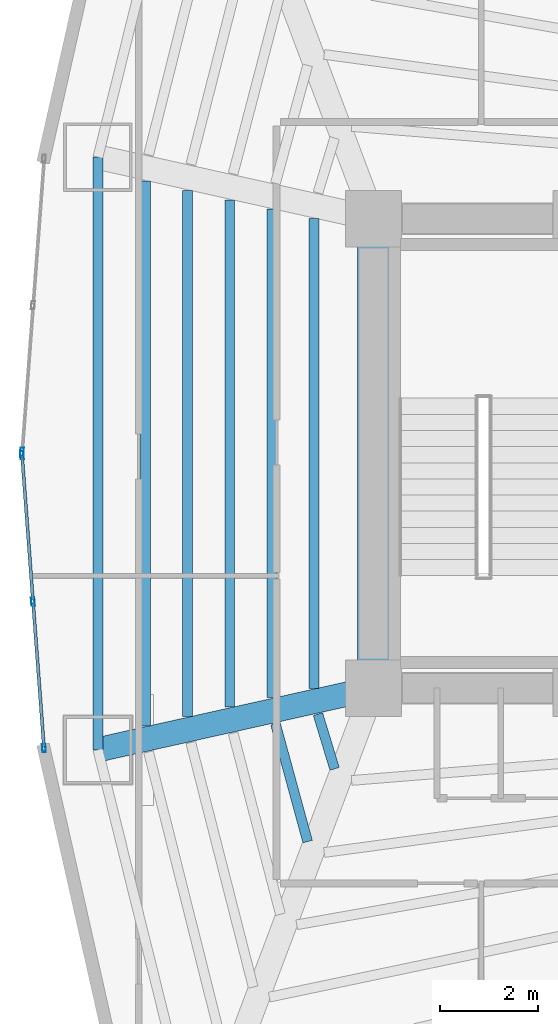
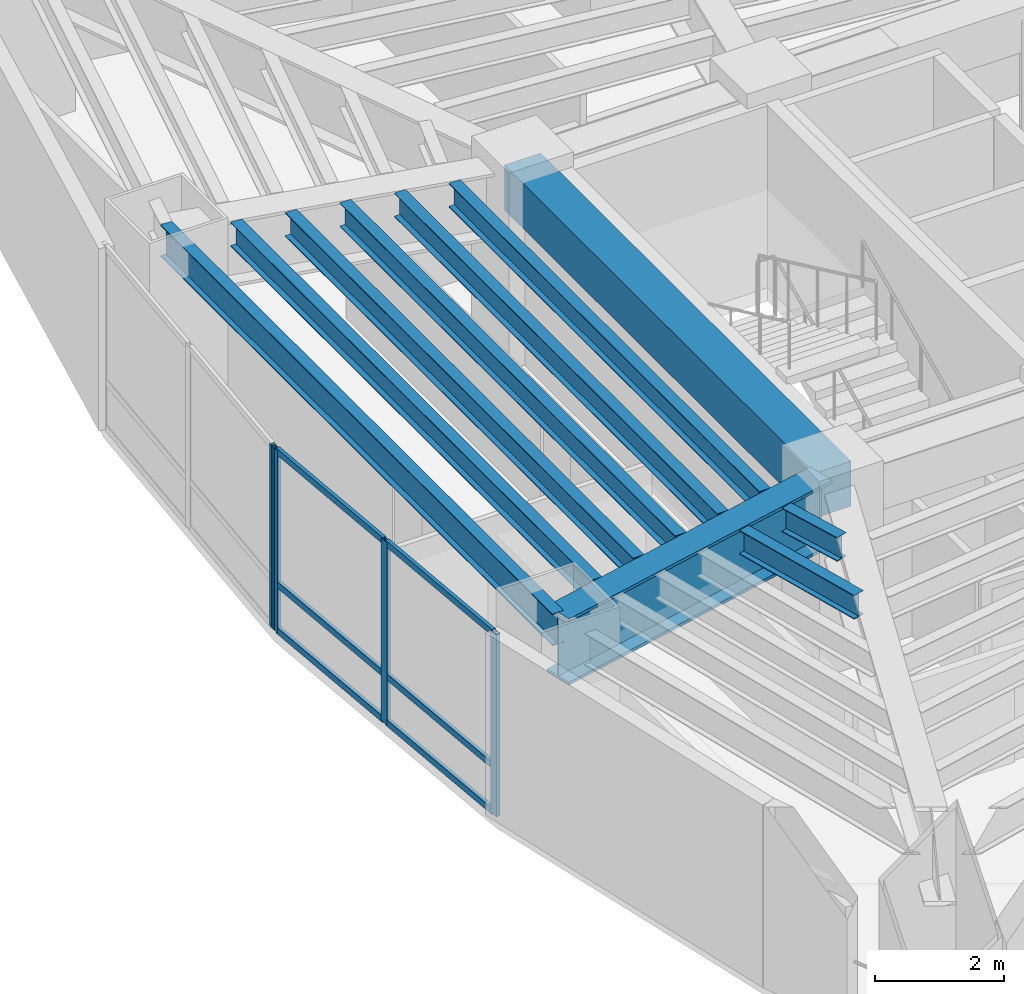
# One storey, part 3 of 18: 10 beams, 10 members, 2 elements without a shape of their own.
"""IFC4 building model written with IfcOpenShell, lengths in metres."""

import ifcopenshell
import ifcopenshell.guid

model = None  # the IFC model being written
_history = None  # IfcOwnerHistory: only IFC2X3 demands one
_inside = {}  # id of a spatial element -> (the spatial element, [elements in it])
_under = {}  # id of a project, library or spatial element -> (it, [spatial elements below it])
_declared = {}  # id of a project -> (the project, [libraries it declares])
_typed = {}  # id of a type object -> (the type object, [elements of that type])
_made_of = {}  # id of a material, layer set ... -> (it, [elements and type objects made of it])


def new_model(schema):
    """Start an empty IFC model of exactly this schema.

    Asked for "IFC4X3", IfcOpenShell would pick the latest addendum, in which some entities
    have other attributes; the version numbers below select the first issue.
    IFC2X3 requires an IfcOwnerHistory on every rooted entity: one is made here for all.
    """
    global model, _history
    if schema == "IFC4X3":
        model = ifcopenshell.file(schema_version=(4, 3, 0, 0))
    else:
        model = ifcopenshell.file(schema=schema)
    _inside.clear()
    _under.clear()
    _declared.clear()
    _typed.clear()
    _made_of.clear()
    _history = None
    if model.schema == "IFC2X3":
        org = make("IfcOrganization", Name="unknown")
        user = make(
            "IfcPersonAndOrganization",
            ThePerson=make("IfcPerson", FamilyName="unknown"),
            TheOrganization=org,
        )
        app = make(
            "IfcApplication",
            ApplicationDeveloper=org,
            Version="unknown",
            ApplicationFullName="unknown",
            ApplicationIdentifier="unknown",
        )
        _history = make(
            "IfcOwnerHistory",
            OwningUser=user,
            OwningApplication=app,
            ChangeAction="ADDED",
            CreationDate=0,
        )
    return model


def make(cls, **values):
    """One entity of the class cls with the attributes given. An attribute that is None is left unset."""
    return model.create_entity(
        cls, **{name: value for name, value in values.items() if value is not None}
    )


def rooted(cls, **values):
    """An entity with a GlobalId (a new one), such as an element, a storey or a relation."""
    return make(cls, GlobalId=ifcopenshell.guid.new(), OwnerHistory=_history, **values)


def si_unit(unit_type, name, prefix=None):
    """IfcSIUnit, for example si_unit("LENGTHUNIT", "METRE", prefix="MILLI")."""
    return make("IfcSIUnit", UnitType=unit_type, Prefix=prefix, Name=name)


def assignment(units):
    """IfcUnitAssignment: the units of a project."""
    return None if units is None else make("IfcUnitAssignment", Units=units)


def point(xyz):
    """IfcCartesianPoint."""
    return None if xyz is None else make("IfcCartesianPoint", Coordinates=xyz)


def direction(xyz):
    """IfcDirection."""
    return None if xyz is None else make("IfcDirection", DirectionRatios=xyz)


def frame(location, z_axis=None, x_axis=None):
    """IfcAxis2Placement3D, a coordinate frame: its origin and axes. An axis left out is left unset."""
    return make(
        "IfcAxis2Placement3D",
        Location=point(location),
        Axis=direction(z_axis),
        RefDirection=direction(x_axis),
    )


def frame_2d(location, x_axis=None):
    """IfcAxis2Placement2D, a coordinate frame in the plane: its origin and x axis."""
    return make(
        "IfcAxis2Placement2D", Location=point(location), RefDirection=direction(x_axis)
    )


def origin():
    """The frame at (0, 0, 0) with its axes left unset."""
    return frame((0.0, 0.0, 0.0))


def origin_2d():
    """The frame at (0, 0) in the plane with its x axis left unset."""
    return frame_2d((0.0, 0.0))


def place(relative_to, where):
    """IfcLocalPlacement: puts the frame where relative to a parent placement (None: the world)."""
    return make(
        "IfcLocalPlacement", PlacementRelTo=relative_to, RelativePlacement=where
    )


def context(
    kind, dimensions, precision=None, world=None, true_north=None, identifier=None
):
    """IfcGeometricRepresentationContext, for example the 3D "Model" context."""
    return make(
        "IfcGeometricRepresentationContext",
        ContextIdentifier=identifier,
        ContextType=kind,
        CoordinateSpaceDimension=dimensions,
        Precision=precision,
        WorldCoordinateSystem=world,
        TrueNorth=true_north,
    )


def subcontext(parent, identifier, kind, view, scale=None):
    """IfcGeometricRepresentationSubContext, for example "Body" below "Model"."""
    return make(
        "IfcGeometricRepresentationSubContext",
        ContextIdentifier=identifier,
        ContextType=kind,
        ParentContext=parent,
        TargetScale=scale,
        TargetView=view,
    )


def project(units=None, contexts=None):
    """IfcProject with its units and contexts."""
    return rooted(
        "IfcProject",
        Name="project",
        RepresentationContexts=contexts,
        UnitsInContext=assignment(units),
    )


def spatial(cls, under=None, at=None, **own):
    """A site, building, storey or space (cls), placed at a placement, below another one or the project."""
    s = rooted(cls, ObjectPlacement=at, **own)
    if under is not None:
        _under.setdefault(under.id(), (under, []))[1].append(s)
    return s


def profile(cls, at=None, kind="AREA", **sizes):
    """A parametric profile (cls). Its sizes go by their IFC names, for example OverallWidth=200.0."""
    return make(cls, ProfileType=kind, Position=at, **sizes)


def rectangle(**sizes):
    """IfcRectangleProfileDef."""
    return profile("IfcRectangleProfileDef", **sizes)


def hollow_rectangle(**sizes):
    """IfcRectangleHollowProfileDef."""
    return profile("IfcRectangleHollowProfileDef", **sizes)


def i_section(**sizes):
    """IfcIShapeProfileDef."""
    return profile("IfcIShapeProfileDef", **sizes)


def extrude(swept, where, along, depth):
    """IfcExtrudedAreaSolid: the profile swept, set in the frame where, extruded along a direction by depth."""
    return make(
        "IfcExtrudedAreaSolid",
        SweptArea=swept,
        Position=where,
        ExtrudedDirection=direction(along),
        Depth=depth,
    )


def shape(context_of_items, identifier, shape_type, items):
    """IfcShapeRepresentation: the items that make up one representation, for example the "Body"."""
    return make(
        "IfcShapeRepresentation",
        ContextOfItems=context_of_items,
        RepresentationIdentifier=identifier,
        RepresentationType=shape_type,
        Items=items,
    )


def material(Name=None, Category=None):
    """IfcMaterial."""
    return make("IfcMaterial", Name=Name, Category=Category)


def layer(
    of_material, thickness, ventilated=None, Name=None, Category=None, Priority=None
):
    """IfcMaterialLayer: one layer of a wall or slab, of a material (None: an air gap)."""
    return make(
        "IfcMaterialLayer",
        Material=of_material,
        LayerThickness=thickness,
        IsVentilated=ventilated,
        Name=Name,
        Category=Category,
        Priority=Priority,
    )


def layer_set(layers, Name=None):
    """IfcMaterialLayerSet."""
    return make("IfcMaterialLayerSet", MaterialLayers=layers, LayerSetName=Name)


def material_profile(
    of_material, cross_section, Name=None, Category=None, Priority=None
):
    """IfcMaterialProfile: a cross section and its material."""
    return make(
        "IfcMaterialProfile",
        Name=Name,
        Material=of_material,
        Profile=cross_section,
        Priority=Priority,
        Category=Category,
    )


def profile_set(profiles, Name=None, composite=None):
    """IfcMaterialProfileSet."""
    return make(
        "IfcMaterialProfileSet",
        Name=Name,
        MaterialProfiles=profiles,
        CompositeProfile=composite,
    )


def made_of(thing, what):
    """Note that an element or type object is made of a material, layer set ...; save() writes the relation."""
    if what is not None:
        _made_of.setdefault(what.id(), (what, []))[1].append(thing)
    return thing


def type_object(cls, material=None, **own):
    """A type object (cls), such as IfcWallType, which elements share."""
    return made_of(rooted(cls, **own), material)


def element(
    cls,
    number,
    at=None,
    inside=None,
    cuts=None,
    type_object=None,
    material=None,
    context=None,
    identifier="Body",
    shape_type=None,
    held_by="IfcProductDefinitionShape",
    body=None,
    shapes=None,
    **own,
):
    """One element of the class cls, such as IfcWall. Its Tag is "e" and its number.

    at: its placement. inside: the storey or other place that contains it. cuts: it is an
    opening in that element (IfcRelVoidsElement). A single representation is given by context,
    identifier, shape_type and body (its items); several are given by shapes. held_by: the class
    of the entity that holds the representations. save() writes the other relations.
    """
    e = rooted(cls, Tag="e%d" % number, ObjectPlacement=at, **own)
    if body is not None:
        shapes = [shape(context, identifier, shape_type, body)]
    if shapes is not None:
        e.Representation = make(held_by, Representations=shapes)
    if inside is not None:
        _inside.setdefault(inside.id(), (inside, []))[1].append(e)
    if cuts is not None:
        rooted(
            "IfcRelVoidsElement", RelatingBuildingElement=cuts, RelatedOpeningElement=e
        )
    if type_object is not None:
        _typed.setdefault(type_object.id(), (type_object, []))[1].append(e)
    return made_of(e, material)


def aggregate(whole, parts):
    """IfcRelAggregates: a whole, such as a stair, and the parts it consists of."""
    return rooted("IfcRelAggregates", RelatingObject=whole, RelatedObjects=parts)


def save(model, path):
    """Write the relations noted so far, then the file.

    IfcRelAggregates (storeys below a building ...), IfcRelContainedInSpatialStructure (elements
    in a storey), IfcRelDefinesByType, IfcRelAssociatesMaterial and IfcRelDeclares: one each for
    every whole, place, type object, material and project.
    """
    for whole, parts in _under.values():
        aggregate(whole, parts)
    for where, things in _inside.values():
        rooted(
            "IfcRelContainedInSpatialStructure",
            RelatedElements=things,
            RelatingStructure=where,
        )
    for kind, things in _typed.values():
        rooted("IfcRelDefinesByType", RelatedObjects=things, RelatingType=kind)
    for what, things in _made_of.values():
        rooted("IfcRelAssociatesMaterial", RelatedObjects=things, RelatingMaterial=what)
    for by, libraries in _declared.values():
        rooted("IfcRelDeclares", RelatingContext=by, RelatedDefinitions=libraries)
    model.write(path)


model = new_model("IFC4")

# Units and contexts
model_context = context("Model", 3, precision=1e-05, world=origin(), true_north=direction((0.0, 1.0)))
body_context = subcontext(model_context, "Body", "Model", "MODEL_VIEW")
ifc_project = project(units=[si_unit("LENGTHUNIT", "METRE"), si_unit("AREAUNIT", "SQUARE_METRE"), si_unit("VOLUMEUNIT", "CUBIC_METRE"), si_unit("PLANEANGLEUNIT", "RADIAN"), si_unit("MASSUNIT", "GRAM", prefix="KILO")], contexts=[model_context])

# Site, building, storey
site_placement = place(None, origin())
site = spatial("IfcSite", under=ifc_project, at=site_placement, CompositionType="ELEMENT")
building_placement = place(site_placement, origin())
building = spatial("IfcBuilding", under=site, at=building_placement, Name="Menara Vayukalpa", CompositionType="ELEMENT")
storey_placement = place(building_placement, frame((0.0, 0.0, 53.639892578125)))
storey = spatial("IfcBuildingStorey", under=building, at=storey_placement, Name="L12", CompositionType="ELEMENT", Elevation=53.639892578125)

# Beams
ifc_material_1 = material(Name="Concrete C60/75", Category="concrete")
ifc_material_profile_1 = material_profile(ifc_material_1, rectangle(XDim=0.64990234375, YDim=0.85009765625, at=origin_2d()), Name="RC 650x850")
ifc_profile_set_1 = profile_set([ifc_material_profile_1], Name="Concrete C60/75")
beam_type_1 = type_object("IfcBeamType", Name="BM-CB1", PredefinedType="BEAM", material=ifc_profile_set_1)
beam_1_placement = place(storey_placement, frame((17.800048828125, 17.199951171875, 3.01513671875), z_axis=(0.0, 1.0, 0.0), x_axis=(-1.0, 0.0, 0.0)))
element("IfcBeam", 1, at=beam_1_placement, inside=storey, type_object=beam_type_1, Name="L12 Core Tie Beam CBR7", PredefinedType="BEAM", context=body_context, shape_type="SweptSolid", body=[
    extrude(rectangle(XDim=0.64990234375, YDim=0.85009765625, at=origin_2d()), origin(), (0.0, 0.0, 1.0), 9.60009765625),
])
ifc_material_2 = material(Name="Steel S355", Category="steel")
ifc_material_profile_2 = material_profile(ifc_material_2, i_section(OverallWidth=0.199951171875, OverallDepth=0.449951171875, WebThickness=0.009033203125, FlangeThickness=0.013916015625, at=origin_2d()), Name="WF 450x200x9x14")
ifc_profile_set_2 = profile_set([ifc_material_profile_2], Name="Steel S355")
beam_type_2 = type_object("IfcBeamType", Name="BM-SJ1", PredefinedType="JOIST", material=ifc_profile_set_2)
beam_2_placement = place(storey_placement, frame((16.58544921875, 26.801513671875, 3.215087890625), z_axis=(0.0, -1.0, 0.0), x_axis=(1.0, 0.0, 0.0)))
element("IfcBeam", 2, at=beam_2_placement, inside=storey, type_object=beam_type_2, Name="L12 Secondary Floor Joist SJ05-1", PredefinedType="JOIST", context=body_context, shape_type="SweptSolid", body=[
    extrude(i_section(OverallWidth=0.199951171875, OverallDepth=0.449951171875, WebThickness=0.009033203125, FlangeThickness=0.013916015625, at=origin_2d()), origin(), (0.0, 0.0, 1.0), 9.60302734375),
])
beam_3_placement = place(storey_placement, frame((15.722900390625, 26.994140625, 3.215087890625), z_axis=(0.0, -1.0, 0.0), x_axis=(1.0, 0.0, 0.0)))
element("IfcBeam", 3, at=beam_3_placement, inside=storey, type_object=beam_type_2, Name="L12 Secondary Floor Joist SJ05-2", PredefinedType="JOIST", context=body_context, shape_type="SweptSolid", body=[
    extrude(i_section(OverallWidth=0.199951171875, OverallDepth=0.449951171875, WebThickness=0.009033203125, FlangeThickness=0.013916015625, at=origin_2d()), origin(), (0.0, 0.0, 1.0), 9.98828125),
])
beam_4_placement = place(storey_placement, frame((14.860107421875, 27.18701171875, 3.215087890625), z_axis=(0.0, -1.0, 0.0), x_axis=(1.0, 0.0, 0.0)))
element("IfcBeam", 4, at=beam_4_placement, inside=storey, type_object=beam_type_2, Name="L12 Secondary Floor Joist SJ05-3", PredefinedType="JOIST", context=body_context, shape_type="SweptSolid", body=[
    extrude(i_section(OverallWidth=0.199951171875, OverallDepth=0.449951171875, WebThickness=0.009033203125, FlangeThickness=0.013916015625, at=origin_2d()), origin(), (0.0, 0.0, 1.0), 10.3740234375),
])
beam_5_placement = place(storey_placement, frame((13.997314453125, 27.3798828125, 3.215087890625), z_axis=(0.0, -1.0, 0.0), x_axis=(1.0, 0.0, 0.0)))
element("IfcBeam", 5, at=beam_5_placement, inside=storey, type_object=beam_type_2, Name="L12 Secondary Floor Joist SJ05-4", PredefinedType="JOIST", context=body_context, shape_type="SweptSolid", body=[
    extrude(i_section(OverallWidth=0.199951171875, OverallDepth=0.449951171875, WebThickness=0.009033203125, FlangeThickness=0.013916015625, at=origin_2d()), origin(), (0.0, 0.0, 1.0), 10.759765625),
])
beam_6_placement = place(storey_placement, frame((13.134765625, 27.57275390625, 3.215087890625), z_axis=(0.0, -1.0, 0.0), x_axis=(1.0, 0.0, 0.0)))
element("IfcBeam", 6, at=beam_6_placement, inside=storey, type_object=beam_type_2, Name="L12 Secondary Floor Joist SJ05-5", PredefinedType="JOIST", context=body_context, shape_type="SweptSolid", body=[
    extrude(i_section(OverallWidth=0.199951171875, OverallDepth=0.449951171875, WebThickness=0.009033203125, FlangeThickness=0.013916015625, at=origin_2d()), origin(), (0.0, 0.0, 1.0), 11.1455078125),
])
beam_7_placement = place(storey_placement, frame((16.6640625, 16.67041015625, 3.215087890625), z_axis=(0.290713461984, -0.956810160388, 0.0), x_axis=(0.956810160388, 0.290713461984, 0.0)))
element("IfcBeam", 7, at=beam_7_placement, inside=storey, type_object=beam_type_2, Name="L12 Secondary Floor Joist SJ06-1", PredefinedType="JOIST", context=body_context, shape_type="SweptSolid", body=[
    extrude(i_section(OverallWidth=0.199951171875, OverallDepth=0.449951171875, WebThickness=0.009033203125, FlangeThickness=0.013916015625, at=origin_2d()), origin(), (0.0, 0.0, 1.0), 1.170654296875),
])
beam_8_placement = place(storey_placement, frame((15.7939453125, 16.475341796875, 3.215087890625), z_axis=(0.26362151681, -0.964626194893, 0.0), x_axis=(0.964626194893, 0.26362151681, 0.0)))
element("IfcBeam", 8, at=beam_8_placement, inside=storey, type_object=beam_type_2, Name="L12 Secondary Floor Joist SJ06-2", PredefinedType="JOIST", context=body_context, shape_type="SweptSolid", body=[
    extrude(i_section(OverallWidth=0.199951171875, OverallDepth=0.449951171875, WebThickness=0.009033203125, FlangeThickness=0.013916015625, at=origin_2d()), origin(), (0.0, 0.0, 1.0), 2.49951171875),
])
ifc_material_3 = material(Name="Steel S355", Category="steel")
ifc_material_profile_3 = material_profile(ifc_material_3, i_section(OverallWidth=0.199951171875, OverallDepth=0.60009765625, WebThickness=0.010986328125, FlangeThickness=0.01708984375, at=origin_2d()), Name="WF 600x200x11x17")
ifc_profile_set_3 = profile_set([ifc_material_profile_3], Name="Steel S355")
beam_type_3 = type_object("IfcBeamType", Name="BM-SP1", PredefinedType="SPANDREL", material=ifc_profile_set_3)
beam_9_placement = place(storey_placement, frame((12.164306640625, 28.0595703125, 3.14013671875), z_axis=(0.0, -1.0, 0.0), x_axis=(1.0, 0.0, 0.0)))
element("IfcBeam", 9, at=beam_9_placement, inside=storey, type_object=beam_type_3, Name="L12 Perimeter Spandrel Beam SP05", PredefinedType="SPANDREL", context=body_context, shape_type="SweptSolid", body=[
    extrude(i_section(OverallWidth=0.199951171875, OverallDepth=0.60009765625, WebThickness=0.010986328125, FlangeThickness=0.01708984375, at=origin_2d()), origin(), (0.0, 0.0, 1.0), 12.119140625),
])
ifc_material_4 = material(Name="Steel S460", Category="steel")
ifc_material_profile_4 = material_profile(ifc_material_4, i_section(OverallWidth=0.5, OverallDepth=1.25, WebThickness=0.028076171875, FlangeThickness=0.054931640625, at=origin_2d()), Name="WG 1250x500x28x55")
ifc_profile_set_4 = profile_set([ifc_material_profile_4], Name="Steel S460")
beam_type_4 = type_object("IfcBeamType", Name="BM-TG2", PredefinedType="BEAM", material=ifc_profile_set_4)
beam_10_placement = place(storey_placement, frame((17.555908203125, 17.1455078125, 2.815185546875), z_axis=(-0.975920137818, -0.218128138031, 0.0), x_axis=(0.218128138031, -0.975920137818, 0.0)))
element("IfcBeam", 10, at=beam_10_placement, inside=storey, type_object=beam_type_4, Name="L12 Primary Radial Girder RG06", PredefinedType="BEAM", context=body_context, shape_type="SweptSolid", body=[
    extrude(i_section(OverallWidth=0.5, OverallDepth=1.25, WebThickness=0.028076171875, FlangeThickness=0.054931640625, at=origin_2d()), origin(), (0.0, 0.0, 1.0), 5.524658203125),
])

# Curtain wall, member
ifc_material_5 = material(Name="Anodised Terracotta Aluminium Alloy 6063-T6", Category="masonry")
ifc_layer = layer(ifc_material_5, 0.1650390625)
ifc_layer_set = layer_set([ifc_layer], Name="Anodised Terracotta Aluminium Alloy 6063-T6")
curtain_wall_type = type_object("IfcCurtainWallType", Name="CW-CW2", PredefinedType="USERDEFINED", material=ifc_layer_set)
curtain_wall_1_placement = place(storey_placement, origin())
curtain_wall_1 = element("IfcCurtainWall", 11, at=curtain_wall_1_placement, inside=storey, type_object=curtain_wall_type, Name="L12 Low Rise Terracotta Ribbon Curtain Wall CW2 10", ObjectType="UNITISED", PredefinedType="USERDEFINED")
ifc_material_6 = material(Name="Anodised Terracotta Aluminium Alloy 6063-T6", Category="masonry")
ifc_material_profile_5 = material_profile(ifc_material_6, hollow_rectangle(XDim=0.070068359375, YDim=0.1650390625, WallThickness=0.00390625, at=origin_2d()), Name="ALU 70x165x4")
ifc_profile_set_5 = profile_set([ifc_material_profile_5], Name="Anodised Terracotta Aluminium Alloy 6063-T6")
member_type_1 = type_object("IfcMemberType", Name="CWM-CW2", PredefinedType="MULLION", material=ifc_profile_set_5)
member_1_placement = place(storey_placement, frame((10.6123046875, 22.034912109375, 0.0), z_axis=(0.0, 0.0, 1.0), x_axis=(0.997198941676, -0.074794857576, 0.0)))
member_1 = element("IfcMember", 12, at=member_1_placement, type_object=member_type_1, Name="CW2 mullion 3", PredefinedType="MULLION", context=body_context, shape_type="SweptSolid", body=[
    extrude(hollow_rectangle(XDim=0.070068359375, YDim=0.1650390625, WallThickness=0.00390625, at=origin_2d()), origin(), (0.0, 0.0, 1.0), 3.440185546875),
])
aggregate(curtain_wall_1, [member_1])

# Curtain wall, members
curtain_wall_2_placement = place(storey_placement, origin())
curtain_wall_2 = element("IfcCurtainWall", 13, at=curtain_wall_2_placement, inside=storey, type_object=curtain_wall_type, Name="L12 Low Rise Terracotta Ribbon Curtain Wall CW2 11", ObjectType="UNITISED", PredefinedType="USERDEFINED")
member_2_placement = place(storey_placement, frame((10.6123046875, 21.965087890625, 0.0), z_axis=(0.0, 0.0, 1.0), x_axis=(0.997198941676, 0.074794857576, 0.0)))
member_2 = element("IfcMember", 14, at=member_2_placement, type_object=member_type_1, Name="CW2 mullion 1", PredefinedType="MULLION", context=body_context, shape_type="SweptSolid", body=[
    extrude(hollow_rectangle(XDim=0.070068359375, YDim=0.1650390625, WallThickness=0.00390625, at=origin_2d()), origin(), (0.0, 0.0, 1.0), 3.440185546875),
])
member_3_placement = place(storey_placement, frame((10.8369140625, 18.97021484375, 0.0), z_axis=(0.0, 0.0, 1.0), x_axis=(0.997198941676, 0.074794857576, 0.0)))
member_3 = element("IfcMember", 15, at=member_3_placement, type_object=member_type_1, Name="CW2 mullion 2", PredefinedType="MULLION", context=body_context, shape_type="SweptSolid", body=[
    extrude(hollow_rectangle(XDim=0.070068359375, YDim=0.1650390625, WallThickness=0.00390625, at=origin_2d()), origin(), (0.0, 0.0, 1.0), 3.440185546875),
])
member_4_placement = place(storey_placement, frame((11.0615234375, 15.975341796875, 0.0), z_axis=(0.0, 0.0, 1.0), x_axis=(0.997198941676, 0.074794857576, 0.0)))
member_4 = element("IfcMember", 16, at=member_4_placement, type_object=member_type_1, Name="CW2 mullion 3", PredefinedType="MULLION", context=body_context, shape_type="SweptSolid", body=[
    extrude(hollow_rectangle(XDim=0.070068359375, YDim=0.1650390625, WallThickness=0.00390625, at=origin_2d()), origin(), (0.0, 0.0, 1.0), 3.440185546875),
])
ifc_material_7 = material(Name="Anodised Terracotta Aluminium Alloy 6063-T6", Category="masonry")
ifc_material_profile_6 = material_profile(ifc_material_7, hollow_rectangle(XDim=0.06494140625, YDim=0.1201171875, WallThickness=0.00341796875, at=origin_2d()), Name="ALU 65x120x3.5")
ifc_profile_set_6 = profile_set([ifc_material_profile_6], Name="Anodised Terracotta Aluminium Alloy 6063-T6")
member_type_2 = type_object("IfcMemberType", Name="CWT-CW2", PredefinedType="USERDEFINED", material=ifc_profile_set_6)
member_5_placement = place(storey_placement, frame((10.614990234375, 21.93017578125, 0.03271484375), z_axis=(0.074742357441, -0.997202878057, 0.0), x_axis=(0.997202878057, 0.074742357441, 0.0)))
member_5 = element("IfcMember", 17, at=member_5_placement, type_object=member_type_2, Name="CW2 transom 1.1", ObjectType="TRANSOM", PredefinedType="USERDEFINED", context=body_context, shape_type="SweptSolid", body=[
    extrude(hollow_rectangle(XDim=0.06494140625, YDim=0.1201171875, WallThickness=0.00341796875, at=origin_2d()), origin(), (0.0, 0.0, 1.0), 2.933349609375),
])
member_6_placement = place(storey_placement, frame((10.614990234375, 21.93017578125, 0.900146484375), z_axis=(0.074742357441, -0.997202878057, 0.0), x_axis=(0.997202878057, 0.074742357441, 0.0)))
member_6 = element("IfcMember", 18, at=member_6_placement, type_object=member_type_2, Name="CW2 transom 1.2", ObjectType="TRANSOM", PredefinedType="USERDEFINED", context=body_context, shape_type="SweptSolid", body=[
    extrude(hollow_rectangle(XDim=0.06494140625, YDim=0.1201171875, WallThickness=0.00341796875, at=origin_2d()), origin(), (0.0, 0.0, 1.0), 2.933349609375),
])
member_7_placement = place(storey_placement, frame((10.614990234375, 21.93017578125, 3.40771484375), z_axis=(0.074742357441, -0.997202878057, 0.0), x_axis=(0.997202878057, 0.074742357441, 0.0)))
member_7 = element("IfcMember", 19, at=member_7_placement, type_object=member_type_2, Name="CW2 transom 1.3", ObjectType="TRANSOM", PredefinedType="USERDEFINED", context=body_context, shape_type="SweptSolid", body=[
    extrude(hollow_rectangle(XDim=0.06494140625, YDim=0.1201171875, WallThickness=0.00341796875, at=origin_2d()), origin(), (0.0, 0.0, 1.0), 2.933349609375),
])
member_8_placement = place(storey_placement, frame((10.839599609375, 18.935302734375, 0.03271484375), z_axis=(0.074825123723, -0.997196671103, 0.0), x_axis=(0.997196671103, 0.074825123723, 0.0)))
member_8 = element("IfcMember", 20, at=member_8_placement, type_object=member_type_2, Name="CW2 transom 2.1", ObjectType="TRANSOM", PredefinedType="USERDEFINED", context=body_context, shape_type="SweptSolid", body=[
    extrude(hollow_rectangle(XDim=0.06494140625, YDim=0.1201171875, WallThickness=0.00341796875, at=origin_2d()), origin(), (0.0, 0.0, 1.0), 2.933349609375),
])
member_9_placement = place(storey_placement, frame((10.839599609375, 18.935302734375, 0.900146484375), z_axis=(0.074825123723, -0.997196671103, 0.0), x_axis=(0.997196671103, 0.074825123723, 0.0)))
member_9 = element("IfcMember", 21, at=member_9_placement, type_object=member_type_2, Name="CW2 transom 2.2", ObjectType="TRANSOM", PredefinedType="USERDEFINED", context=body_context, shape_type="SweptSolid", body=[
    extrude(hollow_rectangle(XDim=0.06494140625, YDim=0.1201171875, WallThickness=0.00341796875, at=origin_2d()), origin(), (0.0, 0.0, 1.0), 2.933349609375),
])
member_10_placement = place(storey_placement, frame((10.839599609375, 18.935302734375, 3.40771484375), z_axis=(0.074825123723, -0.997196671103, 0.0), x_axis=(0.997196671103, 0.074825123723, 0.0)))
member_10 = element("IfcMember", 22, at=member_10_placement, type_object=member_type_2, Name="CW2 transom 2.3", ObjectType="TRANSOM", PredefinedType="USERDEFINED", context=body_context, shape_type="SweptSolid", body=[
    extrude(hollow_rectangle(XDim=0.06494140625, YDim=0.1201171875, WallThickness=0.00341796875, at=origin_2d()), origin(), (0.0, 0.0, 1.0), 2.933349609375),
])
aggregate(curtain_wall_2, [member_2, member_3, member_4, member_5, member_6, member_7, member_8, member_9, member_10])

save(model, "model.ifc")
